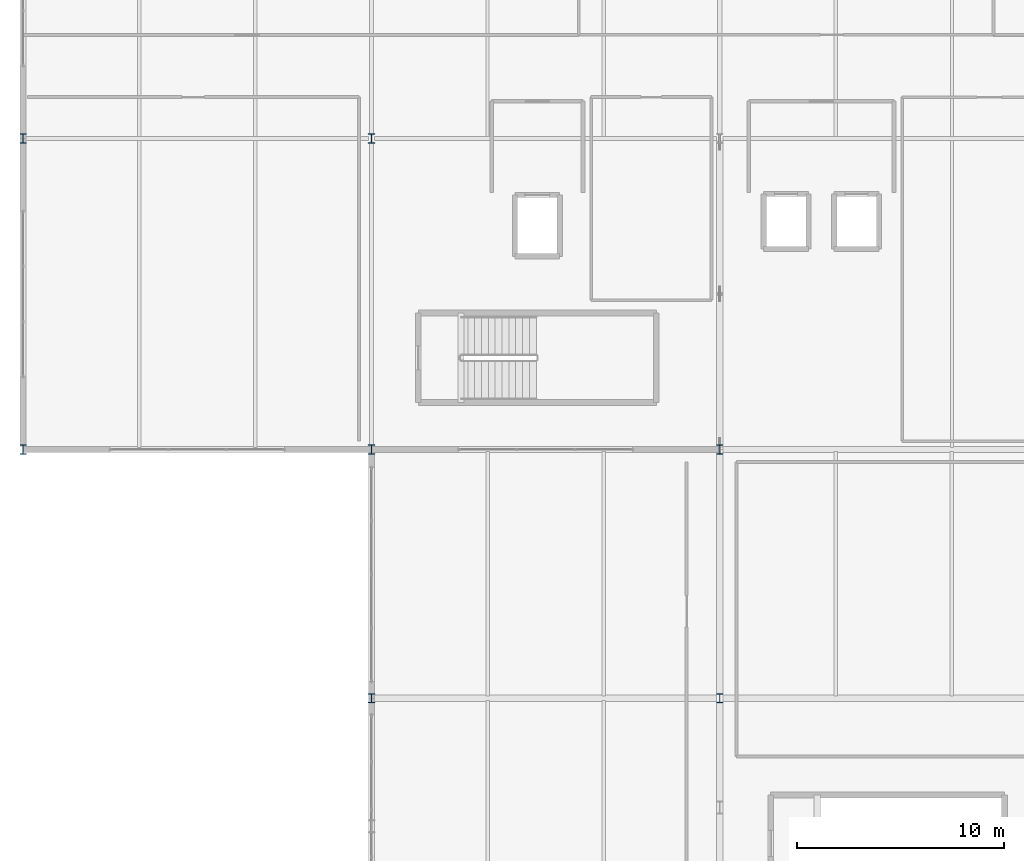
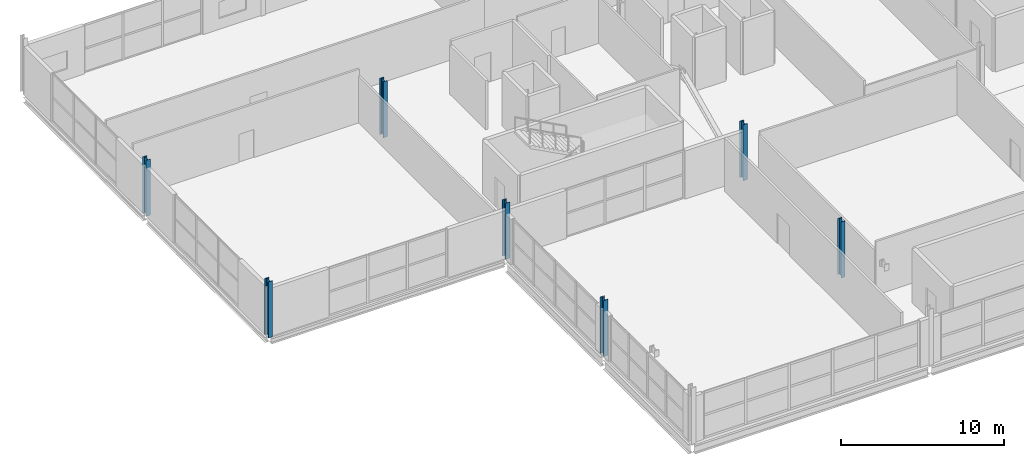
# One storey, part 3 of 39: 7 columns.
"""IFC4 building model written with IfcOpenShell, lengths in metres."""

from ifc_helpers import new_model, si_unit, direction, frame, origin, origin_2d, place, context, subcontext, project, spatial, i_section, extrude, material, material_profile, profile_set, type_object, element, save


model = new_model("IFC4")

# Units and contexts
model_context = context("Model", 3, precision=1e-05, world=origin(), true_north=direction((0.0, 1.0)))
body_context = subcontext(model_context, "Body", "Model", "MODEL_VIEW")
ifc_project = project(units=[si_unit("LENGTHUNIT", "METRE"), si_unit("AREAUNIT", "SQUARE_METRE"), si_unit("VOLUMEUNIT", "CUBIC_METRE"), si_unit("PLANEANGLEUNIT", "RADIAN"), si_unit("MASSUNIT", "GRAM", prefix="KILO")], contexts=[model_context])

# Site, building, storey
site_placement = place(None, origin())
site = spatial("IfcSite", under=ifc_project, at=site_placement, CompositionType="ELEMENT")
building_placement = place(site_placement, origin())
building = spatial("IfcBuilding", under=site, at=building_placement, Name="Kimbaza Rail Terminus", CompositionType="ELEMENT")
storey_placement = place(building_placement, frame((0.0, 0.0, 16.800048828125)))
storey = spatial("IfcBuildingStorey", under=building, at=storey_placement, Name="L03", CompositionType="ELEMENT", Elevation=16.800048828125)

# Columns
ifc_material = material(Name="Steel S355", Category="steel")
ifc_material_profile = material_profile(ifc_material, i_section(OverallWidth=0.300048828125, OverallDepth=0.449951171875, WebThickness=0.013916015625, FlangeThickness=0.02587890625, FilletRadius=0.027099609375, at=origin_2d()), Name="HEB 450")
ifc_profile_set = profile_set([ifc_material_profile], Name="Steel S355")
column_type = type_object("IfcColumnType", Name="STR-COL-HEB450", PredefinedType="COLUMN", material=ifc_profile_set)
for number, where, z_axis, x_axis, name in (
    (1, (55.199951171875, 103.0, 0.0), (0.0, 0.0, 1.0), (1.0, 0.0, 0.0), "Operations Column L03 (0,0)"),
    (2, (55.199951171875, 118.0, 0.0), (0.0, 0.0, 1.0), (1.0, 0.0, 0.0), "Operations Column L03 (0,1)"),
    (3, (72.0, 103.0, 0.0), (0.0, 0.0, 1.0), (1.0, 0.0, 0.0), "Operations Column L03 (1,0)"),
    (4, (72.0, 118.0, 0.0), (0.0, 0.0, 1.0), (1.0, 0.0, 0.0), "Operations Column L03 (1,1)"),
    (5, (88.800048828125, 103.0, 0.0), (0.0, 0.0, 1.0), (1.0, 0.0, 0.0), "Operations Column L03 (2,0)"),
    (6, (72.0, 91.0, 0.0), (0.0, 0.0, 1.0), (1.0, 0.0, 0.0), "North Transfer Pier L03 (1,1)"),
    (7, (88.800048828125, 91.0, 0.0), (0.0, 0.0, 1.0), (1.0, 0.0, 0.0), "North Transfer Pier L03 (2,1)"),
):
    element("IfcColumn", number, at=place(storey_placement, frame(where, z_axis=z_axis, x_axis=x_axis)), inside=storey, type_object=column_type, Name=name, PredefinedType="COLUMN", context=body_context, shape_type="SweptSolid", body=[
        extrude(i_section(OverallWidth=0.300048828125, OverallDepth=0.449951171875, WebThickness=0.013916015625, FlangeThickness=0.02587890625, FilletRadius=0.027099609375, at=origin_2d()), origin(), (0.0, 0.0, 1.0), 4.199951171875),
    ])

save(model, "model.ifc")
